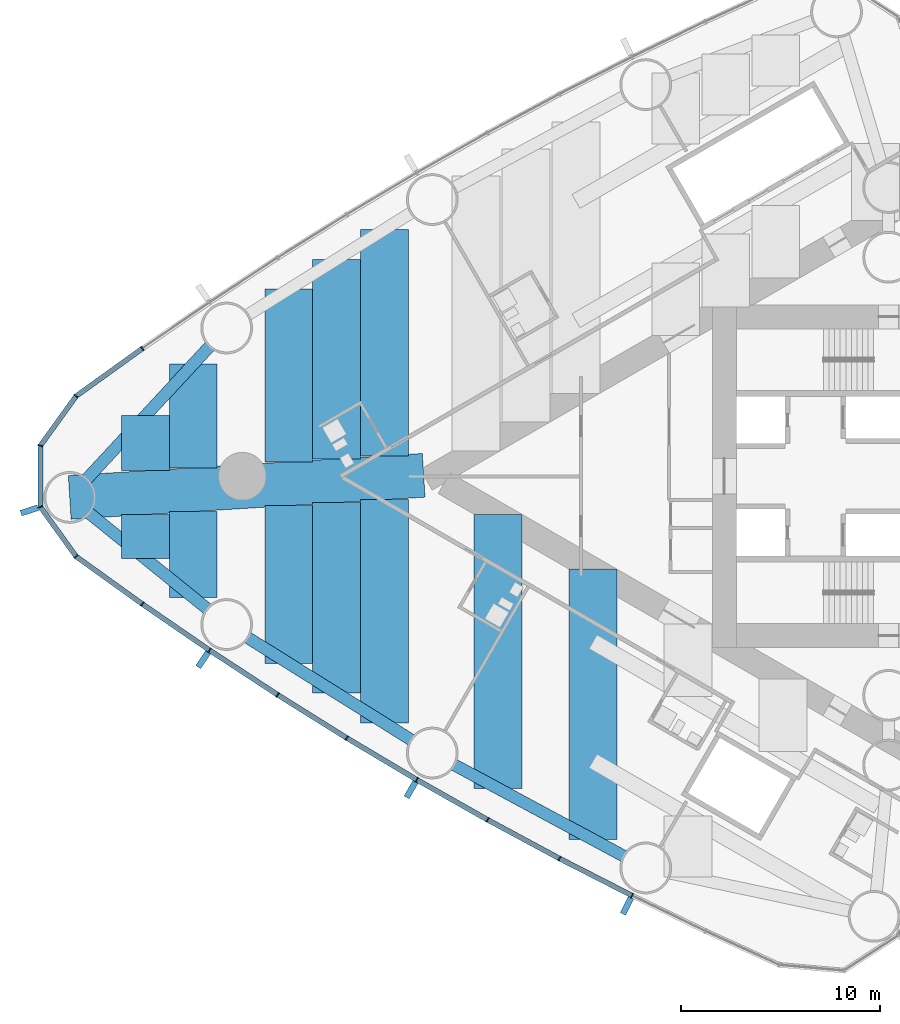
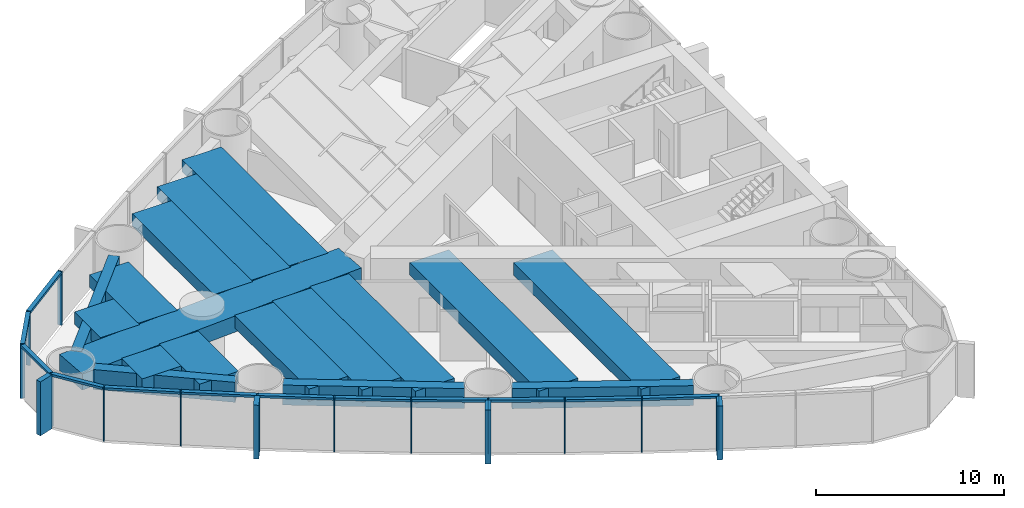
# One storey, part 2 of 19: 29 members, 17 beams, 1 element without a shape of its own.
"""IFC4 building model written with IfcOpenShell, lengths in metres."""

from ifc_helpers import new_model, si_unit, direction, frame, origin, origin_2d, place, context, subcontext, project, spatial, rectangle, hollow_rectangle, extrude, material, material_profile, profile_set, type_object, element, aggregate, save


model = new_model("IFC4")

# Units and contexts
model_context = context("Model", 3, precision=1e-05, world=origin(), true_north=direction((0.0, 1.0)))
body_context = subcontext(model_context, "Body", "Model", "MODEL_VIEW")
ifc_project = project(units=[si_unit("LENGTHUNIT", "METRE"), si_unit("AREAUNIT", "SQUARE_METRE"), si_unit("VOLUMEUNIT", "CUBIC_METRE"), si_unit("PLANEANGLEUNIT", "RADIAN"), si_unit("MASSUNIT", "GRAM", prefix="KILO")], contexts=[model_context])

# Site, building, storey
site_placement = place(None, origin())
site = spatial("IfcSite", under=ifc_project, at=site_placement, CompositionType="ELEMENT")
building_placement = place(site_placement, origin())
building = spatial("IfcBuilding", under=site, at=building_placement, Name="Lancet Gate Hotel", CompositionType="ELEMENT")
storey_placement = place(building_placement, frame((0.0, 0.0, 90.60009765625)))
storey = spatial("IfcBuildingStorey", under=building, at=storey_placement, Name="L23", CompositionType="ELEMENT", Elevation=90.60009765625)

# Curtain wall, members
ifc_material_1 = material(Name="Aluminium curtain wall", Category="aluminium")
curtain_wall_type = type_object("IfcCurtainWallType", Name="Tower unitised curtain wall", PredefinedType="USERDEFINED", material=ifc_material_1)
curtain_wall_placement = place(storey_placement, origin())
curtain_wall = element("IfcCurtainWall", 1, at=curtain_wall_placement, inside=storey, type_object=curtain_wall_type, Name="T1 L23 curtain wall 1", ObjectType="UNITISED CURTAIN WALL", PredefinedType="USERDEFINED")
ifc_material_2 = material(Name="Aluminium mullion", Category="aluminium")
ifc_material_profile_1 = material_profile(ifc_material_2, rectangle(XDim=0.06494140625, YDim=0.25, at=origin_2d()), Name="MULLION 65x250")
ifc_profile_set_1 = profile_set([ifc_material_profile_1], Name="Aluminium mullion")
member_type_1 = type_object("IfcMemberType", Name="Aluminium mullion 65x250", PredefinedType="MULLION", material=ifc_profile_set_1)
member_1_placement = place(storey_placement, frame((-66.5234375, 6.41650390625, 0.0), z_axis=(0.0, 0.0, 1.0), x_axis=(-0.818327221681, -0.574752606132, 0.0)))
member_1 = element("IfcMember", 2, at=member_1_placement, type_object=member_type_1, Name="T1 L23 curtain wall 1 mullion 16", PredefinedType="MULLION", context=body_context, shape_type="SweptSolid", body=[
    extrude(rectangle(XDim=0.06494140625, YDim=0.25, at=origin_2d()), origin(), (0.0, 0.0, 1.0), 3.5),
])
member_2_placement = place(storey_placement, frame((-69.84619140625, 4.02880859375, 0.0), z_axis=(0.0, 0.0, 1.0), x_axis=(-0.723846229576, -0.6899613293, 0.0)))
member_2 = element("IfcMember", 3, at=member_2_placement, type_object=member_type_1, Name="T1 L23 curtain wall 1 mullion 17", PredefinedType="MULLION", context=body_context, shape_type="SweptSolid", body=[
    extrude(rectangle(XDim=0.06494140625, YDim=0.25, at=origin_2d()), origin(), (0.0, 0.0, 1.0), 3.5),
])
member_3_placement = place(storey_placement, frame((-71.64306640625, 1.536376953125, 0.0), z_axis=(0.0, 0.0, 1.0), x_axis=(-0.307269196735, -0.95162263568, 0.0)))
member_3 = element("IfcMember", 4, at=member_3_placement, type_object=member_type_1, Name="T1 L23 curtain wall 1 mullion 18", PredefinedType="MULLION", context=body_context, shape_type="SweptSolid", body=[
    extrude(rectangle(XDim=0.06494140625, YDim=0.25, at=origin_2d()), origin(), (0.0, 0.0, 1.0), 3.5),
])
member_4_placement = place(storey_placement, frame((-71.64306640625, -1.536376953125, 0.0), z_axis=(0.0, 0.0, 1.0), x_axis=(0.307269196735, -0.95162263568, 0.0)))
member_4 = element("IfcMember", 5, at=member_4_placement, type_object=member_type_1, Name="T1 L23 curtain wall 1 mullion 19", PredefinedType="MULLION", context=body_context, shape_type="SweptSolid", body=[
    extrude(rectangle(XDim=0.06494140625, YDim=0.25, at=origin_2d()), origin(), (0.0, 0.0, 1.0), 3.5),
])
member_5_placement = place(storey_placement, frame((-69.84619140625, -4.02880859375, 0.0), z_axis=(0.0, 0.0, 1.0), x_axis=(0.723846229576, -0.6899613293, 0.0)))
member_5 = element("IfcMember", 6, at=member_5_placement, type_object=member_type_1, Name="T1 L23 curtain wall 1 mullion 20", PredefinedType="MULLION", context=body_context, shape_type="SweptSolid", body=[
    extrude(rectangle(XDim=0.06494140625, YDim=0.25, at=origin_2d()), origin(), (0.0, 0.0, 1.0), 3.5),
])
member_6_placement = place(storey_placement, frame((-66.5234375, -6.41650390625, 0.0), z_axis=(0.0, 0.0, 1.0), x_axis=(0.818327221681, -0.574752606132, 0.0)))
member_6 = element("IfcMember", 7, at=member_6_placement, type_object=member_type_1, Name="T1 L23 curtain wall 1 mullion 21", PredefinedType="MULLION", context=body_context, shape_type="SweptSolid", body=[
    extrude(rectangle(XDim=0.06494140625, YDim=0.25, at=origin_2d()), origin(), (0.0, 0.0, 1.0), 3.5),
])
member_7_placement = place(storey_placement, frame((-63.14990234375, -8.73193359375, 0.0), z_axis=(0.0, 0.0, 1.0), x_axis=(0.830510096234, -0.557003572747, 0.0)))
member_7 = element("IfcMember", 8, at=member_7_placement, type_object=member_type_1, Name="T1 L23 curtain wall 1 mullion 22", PredefinedType="MULLION", context=body_context, shape_type="SweptSolid", body=[
    extrude(rectangle(XDim=0.06494140625, YDim=0.25, at=origin_2d()), origin(), (0.0, 0.0, 1.0), 3.5),
])
member_8_placement = place(storey_placement, frame((-59.7275390625, -10.974365234375, 0.0), z_axis=(0.0, 0.0, 1.0), x_axis=(0.84230807036, -0.538996395727, 0.0)))
member_8 = element("IfcMember", 9, at=member_8_placement, type_object=member_type_1, Name="T1 L23 curtain wall 1 mullion 23", PredefinedType="MULLION", context=body_context, shape_type="SweptSolid", body=[
    extrude(rectangle(XDim=0.06494140625, YDim=0.25, at=origin_2d()), origin(), (0.0, 0.0, 1.0), 3.5),
])
member_9_placement = place(storey_placement, frame((-56.257568359375, -13.142333984375, 0.0), z_axis=(0.0, 0.0, 1.0), x_axis=(0.853715676299, -0.52073942048, 0.0)))
member_9 = element("IfcMember", 10, at=member_9_placement, type_object=member_type_1, Name="T1 L23 curtain wall 1 mullion 24", PredefinedType="MULLION", context=body_context, shape_type="SweptSolid", body=[
    extrude(rectangle(XDim=0.06494140625, YDim=0.25, at=origin_2d()), origin(), (0.0, 0.0, 1.0), 3.5),
])
member_10_placement = place(storey_placement, frame((-52.74169921875, -15.2353515625, 0.0), z_axis=(0.0, 0.0, 1.0), x_axis=(0.86472762718, -0.502241108226, 0.0)))
member_10 = element("IfcMember", 11, at=member_10_placement, type_object=member_type_1, Name="T1 L23 curtain wall 1 mullion 25", PredefinedType="MULLION", context=body_context, shape_type="SweptSolid", body=[
    extrude(rectangle(XDim=0.06494140625, YDim=0.25, at=origin_2d()), origin(), (0.0, 0.0, 1.0), 3.5),
])
member_11_placement = place(storey_placement, frame((-49.181640625, -17.252197265625, 0.0), z_axis=(0.0, 0.0, 1.0), x_axis=(0.875338819507, -0.48351003202, 0.0)))
member_11 = element("IfcMember", 12, at=member_11_placement, type_object=member_type_1, Name="T1 L23 curtain wall 1 mullion 26", PredefinedType="MULLION", context=body_context, shape_type="SweptSolid", body=[
    extrude(rectangle(XDim=0.06494140625, YDim=0.25, at=origin_2d()), origin(), (0.0, 0.0, 1.0), 3.5),
])
member_12_placement = place(storey_placement, frame((-45.578857421875, -19.19189453125, 0.0), z_axis=(0.0, 0.0, 1.0), x_axis=(0.885544335517, -0.46455487279, 0.0)))
member_12 = element("IfcMember", 13, at=member_12_placement, type_object=member_type_1, Name="T1 L23 curtain wall 1 mullion 27", PredefinedType="MULLION", context=body_context, shape_type="SweptSolid", body=[
    extrude(rectangle(XDim=0.06494140625, YDim=0.25, at=origin_2d()), origin(), (0.0, 0.0, 1.0), 3.5),
])
member_13_placement = place(storey_placement, frame((-41.935302734375, -21.053466796875, 0.0), z_axis=(0.0, 0.0, 1.0), x_axis=(0.895339445458, -0.445384415317, 0.0)))
member_13 = element("IfcMember", 14, at=member_13_placement, type_object=member_type_1, Name="T1 L23 curtain wall 1 mullion 28", PredefinedType="MULLION", context=body_context, shape_type="SweptSolid", body=[
    extrude(rectangle(XDim=0.06494140625, YDim=0.25, at=origin_2d()), origin(), (0.0, 0.0, 1.0), 3.5),
])
ifc_material_3 = material(Name="Aluminium transom", Category="aluminium")
ifc_material_profile_2 = material_profile(ifc_material_3, rectangle(XDim=0.25, YDim=0.14990234375, at=origin_2d()), Name="TRANSOM 250x150")
ifc_profile_set_2 = profile_set([ifc_material_profile_2], Name="Aluminium transom")
member_type_2 = type_object("IfcMemberType", Name="Aluminium transom 250x150", PredefinedType="USERDEFINED", material=ifc_profile_set_2)
member_14_placement = place(storey_placement, frame((-66.5498046875, 6.3974609375, 3.4248046875), z_axis=(-0.812099770796, -0.583518604908, 0.0), x_axis=(0.583518604908, -0.812099770796, 0.0)))
member_14 = element("IfcMember", 15, at=member_14_placement, type_object=member_type_2, Name="T1 L23 curtain wall 1 transom 16", ObjectType="TRANSOM", PredefinedType="USERDEFINED", context=body_context, shape_type="SweptSolid", body=[
    extrude(rectangle(XDim=0.25, YDim=0.14990234375, at=origin_2d()), origin(), (0.0, 0.0, 1.0), 4.026611328125),
])
member_15_placement = place(storey_placement, frame((-69.865234375, 4.00244140625, 3.4248046875), z_axis=(-0.584787911241, -0.81118622946, 0.0), x_axis=(0.81118622946, -0.584787911241, 0.0)))
member_15 = element("IfcMember", 16, at=member_15_placement, type_object=member_type_2, Name="T1 L23 curtain wall 1 transom 17", ObjectType="TRANSOM", PredefinedType="USERDEFINED", context=body_context, shape_type="SweptSolid", body=[
    extrude(rectangle(XDim=0.25, YDim=0.14990234375, at=origin_2d()), origin(), (0.0, 0.0, 1.0), 3.007568359375),
])
member_16_placement = place(storey_placement, frame((-71.64306640625, 1.50390625, 3.4248046875), z_axis=(0.0, -1.0, 0.0), x_axis=(1.0, 0.0, 0.0)))
member_16 = element("IfcMember", 17, at=member_16_placement, type_object=member_type_2, Name="T1 L23 curtain wall 1 transom 18", ObjectType="TRANSOM", PredefinedType="USERDEFINED", context=body_context, shape_type="SweptSolid", body=[
    extrude(rectangle(XDim=0.25, YDim=0.14990234375, at=origin_2d()), origin(), (0.0, 0.0, 1.0), 3.0078125),
])
member_17_placement = place(storey_placement, frame((-71.6240234375, -1.562744140625, 3.4248046875), z_axis=(0.584787911241, -0.81118622946, 0.0), x_axis=(0.81118622946, 0.584787911241, 0.0)))
member_17 = element("IfcMember", 18, at=member_17_placement, type_object=member_type_2, Name="T1 L23 curtain wall 1 transom 19", ObjectType="TRANSOM", PredefinedType="USERDEFINED", context=body_context, shape_type="SweptSolid", body=[
    extrude(rectangle(XDim=0.25, YDim=0.14990234375, at=origin_2d()), origin(), (0.0, 0.0, 1.0), 3.007568359375),
])
member_18_placement = place(storey_placement, frame((-69.81982421875, -4.0478515625, 3.4248046875), z_axis=(0.812099770796, -0.583518604908, 0.0), x_axis=(0.583518604908, 0.812099770796, 0.0)))
member_18 = element("IfcMember", 19, at=member_18_placement, type_object=member_type_2, Name="T1 L23 curtain wall 1 transom 20", ObjectType="TRANSOM", PredefinedType="USERDEFINED", context=body_context, shape_type="SweptSolid", body=[
    extrude(rectangle(XDim=0.25, YDim=0.14990234375, at=origin_2d()), origin(), (0.0, 0.0, 1.0), 4.026611328125),
])
member_19_placement = place(storey_placement, frame((-66.49658203125, -6.434814453125, 3.4248046875), z_axis=(0.824455665247, -0.565926546508, 0.0), x_axis=(0.565926546508, 0.824455665247, 0.0)))
member_19 = element("IfcMember", 20, at=member_19_placement, type_object=member_type_2, Name="T1 L23 curtain wall 1 transom 21", ObjectType="TRANSOM", PredefinedType="USERDEFINED", context=body_context, shape_type="SweptSolid", body=[
    extrude(rectangle(XDim=0.25, YDim=0.14990234375, at=origin_2d()), origin(), (0.0, 0.0, 1.0), 4.026611328125),
])
member_20_placement = place(storey_placement, frame((-63.122802734375, -8.749755859375, 3.4248046875), z_axis=(0.83645442085, -0.548036496815, 0.0), x_axis=(0.548036496815, 0.83645442085, 0.0)))
member_20 = element("IfcMember", 21, at=member_20_placement, type_object=member_type_2, Name="T1 L23 curtain wall 1 transom 22", ObjectType="TRANSOM", PredefinedType="USERDEFINED", context=body_context, shape_type="SweptSolid", body=[
    extrude(rectangle(XDim=0.25, YDim=0.14990234375, at=origin_2d()), origin(), (0.0, 0.0, 1.0), 4.026611328125),
])
member_21_placement = place(storey_placement, frame((-59.699951171875, -10.991455078125, 3.4248046875), z_axis=(0.848049393821, -0.529917187531, 0.0), x_axis=(0.529917187531, 0.848049393821, 0.0)))
member_21 = element("IfcMember", 22, at=member_21_placement, type_object=member_type_2, Name="T1 L23 curtain wall 1 transom 23", ObjectType="TRANSOM", PredefinedType="USERDEFINED", context=body_context, shape_type="SweptSolid", body=[
    extrude(rectangle(XDim=0.25, YDim=0.14990234375, at=origin_2d()), origin(), (0.0, 0.0, 1.0), 4.026611328125),
])
member_22_placement = place(storey_placement, frame((-56.2294921875, -13.1591796875, 3.4248046875), z_axis=(0.859285270342, -0.511496651186, 0.0), x_axis=(0.511496651186, 0.859285270342, 0.0)))
member_22 = element("IfcMember", 23, at=member_22_placement, type_object=member_type_2, Name="T1 L23 curtain wall 1 transom 24", ObjectType="TRANSOM", PredefinedType="USERDEFINED", context=body_context, shape_type="SweptSolid", body=[
    extrude(rectangle(XDim=0.25, YDim=0.14990234375, at=origin_2d()), origin(), (0.0, 0.0, 1.0), 4.026611328125),
])
member_23_placement = place(storey_placement, frame((-52.71337890625, -15.25146484375, 3.4248046875), z_axis=(0.870091531013, -0.492890178091, 0.0), x_axis=(0.492890178091, 0.870091531013, 0.0)))
member_23 = element("IfcMember", 24, at=member_23_placement, type_object=member_type_2, Name="T1 L23 curtain wall 1 transom 25", ObjectType="TRANSOM", PredefinedType="USERDEFINED", context=body_context, shape_type="SweptSolid", body=[
    extrude(rectangle(XDim=0.25, YDim=0.14990234375, at=origin_2d()), origin(), (0.0, 0.0, 1.0), 4.026611328125),
])
member_24_placement = place(storey_placement, frame((-49.153076171875, -17.267578125, 3.4248046875), z_axis=(0.880498353192, -0.474049206335, 0.0), x_axis=(0.474049206335, 0.880498353192, 0.0)))
member_24 = element("IfcMember", 25, at=member_24_placement, type_object=member_type_2, Name="T1 L23 curtain wall 1 transom 26", ObjectType="TRANSOM", PredefinedType="USERDEFINED", context=body_context, shape_type="SweptSolid", body=[
    extrude(rectangle(XDim=0.25, YDim=0.14990234375, at=origin_2d()), origin(), (0.0, 0.0, 1.0), 4.02685546875),
])
member_25_placement = place(storey_placement, frame((-45.550048828125, -19.20654296875, 3.4248046875), z_axis=(0.89047617483, -0.455029869415, 0.0), x_axis=(0.455029869415, 0.89047617483, 0.0)))
member_25 = element("IfcMember", 26, at=member_25_placement, type_object=member_type_2, Name="T1 L23 curtain wall 1 transom 27", ObjectType="TRANSOM", PredefinedType="USERDEFINED", context=body_context, shape_type="SweptSolid", body=[
    extrude(rectangle(XDim=0.25, YDim=0.14990234375, at=origin_2d()), origin(), (0.0, 0.0, 1.0), 4.026611328125),
])

# Beams
ifc_material_4 = material(Name="Steel S460QL", Category="steel")
ifc_material_profile_3 = material_profile(ifc_material_4, hollow_rectangle(XDim=0.60009765625, YDim=1.300048828125, WallThickness=0.050048828125, at=origin_2d()), Name="BOX 1300x600x50")
ifc_profile_set_3 = profile_set([ifc_material_profile_3], Name="Steel S460QL")
beam_type_1 = type_object("IfcBeamType", Name="Edge beam BOX 1300x600x50", PredefinedType="SPANDREL", material=ifc_profile_set_3)
beam_1_placement = place(storey_placement, frame((-63.13623046875, 6.52783203125, 2.599853515625), z_axis=(-0.679712541232, -0.733478603158, 0.0), x_axis=(0.733478603158, -0.679712541232, 0.0)))
element("IfcBeam", 27, at=beam_1_placement, inside=storey, type_object=beam_type_1, Name="T1 edge beam EB2 L23", PredefinedType="SPANDREL", context=body_context, shape_type="SweptSolid", body=[
    extrude(hollow_rectangle(XDim=0.60009765625, YDim=1.300048828125, WallThickness=0.050048828125, at=origin_2d()), origin(), (0.0, 0.0, 1.0), 9.09521484375),
])
beam_2_placement = place(storey_placement, frame((-69.19677734375, -1.846923828125, 2.599853515625), z_axis=(0.777049192249, -0.629439872287, 0.0), x_axis=(0.629439872287, 0.777049192249, 0.0)))
element("IfcBeam", 28, at=beam_2_placement, inside=storey, type_object=beam_type_1, Name="T1 edge beam EB2 L23", PredefinedType="SPANDREL", context=body_context, shape_type="SweptSolid", body=[
    extrude(hollow_rectangle(XDim=0.60009765625, YDim=1.300048828125, WallThickness=0.050048828125, at=origin_2d()), origin(), (0.0, 0.0, 1.0), 7.64306640625),
])
beam_3_placement = place(storey_placement, frame((-61.2265625, -8.10693359375, 2.599853515625), z_axis=(0.848062104807, -0.529896845047, 0.0), x_axis=(0.529896845047, 0.848062104807, 0.0)))
element("IfcBeam", 29, at=beam_3_placement, inside=storey, type_object=beam_type_1, Name="T1 edge beam EB2 L23", PredefinedType="SPANDREL", context=body_context, shape_type="SweptSolid", body=[
    extrude(hollow_rectangle(XDim=0.60009765625, YDim=1.300048828125, WallThickness=0.050048828125, at=origin_2d()), origin(), (0.0, 0.0, 1.0), 9.673095703125),
])
beam_4_placement = place(storey_placement, frame((-50.862548828125, -14.487548828125, 2.599853515625), z_axis=(0.880484066736, -0.474075741021, 0.0), x_axis=(0.474075741021, 0.880484066736, 0.0)))
element("IfcBeam", 30, at=beam_4_placement, inside=storey, type_object=beam_type_1, Name="T1 edge beam EB2 L23", PredefinedType="SPANDREL", context=body_context, shape_type="SweptSolid", body=[
    extrude(hollow_rectangle(XDim=0.60009765625, YDim=1.300048828125, WallThickness=0.050048828125, at=origin_2d()), origin(), (0.0, 0.0, 1.0), 9.6728515625),
])

# Member
ifc_material_5 = material(Name="Precast concrete C50/60", Category="concrete")
ifc_material_profile_4 = material_profile(ifc_material_5, rectangle(XDim=0.300048828125, YDim=0.89990234375, at=origin_2d()), Name="FIN 300x900")
ifc_profile_set_4 = profile_set([ifc_material_profile_4], Name="Precast concrete C50/60")
member_type_3 = type_object("IfcMemberType", Name="Exposed concrete fin 300x900", PredefinedType="USERDEFINED", material=ifc_profile_set_4)
member_26_placement = place(storey_placement, frame((-72.190185546875, -1.713134765625, 0.0), z_axis=(0.0, 0.0, 1.0), x_axis=(0.307269196735, -0.95162263568, 0.0)))
member_26 = element("IfcMember", 31, at=member_26_placement, type_object=member_type_3, Name="T1 L23 curtain wall 1 fin 19", ObjectType="FIN", PredefinedType="USERDEFINED", context=body_context, shape_type="SweptSolid", body=[
    extrude(rectangle(XDim=0.300048828125, YDim=0.89990234375, at=origin_2d()), origin(), (0.0, 0.0, 1.0), 3.5),
])

member_27_placement = place(storey_placement, frame((-63.47021484375, -9.20947265625, 0.0), z_axis=(0.0, 0.0, 1.0), x_axis=(0.830510096234, -0.557003572747, 0.0)))
member_27 = element("IfcMember", 32, at=member_27_placement, type_object=member_type_3, Name="T1 L23 curtain wall 1 fin 22", ObjectType="FIN", PredefinedType="USERDEFINED", context=body_context, shape_type="SweptSolid", body=[
    extrude(rectangle(XDim=0.300048828125, YDim=0.89990234375, at=origin_2d()), origin(), (0.0, 0.0, 1.0), 3.5),
])

member_28_placement = place(storey_placement, frame((-53.030517578125, -15.732666015625, 0.0), z_axis=(0.0, 0.0, 1.0), x_axis=(0.86472762718, -0.502241108226, 0.0)))
member_28 = element("IfcMember", 33, at=member_28_placement, type_object=member_type_3, Name="T1 L23 curtain wall 1 fin 25", ObjectType="FIN", PredefinedType="USERDEFINED", context=body_context, shape_type="SweptSolid", body=[
    extrude(rectangle(XDim=0.300048828125, YDim=0.89990234375, at=origin_2d()), origin(), (0.0, 0.0, 1.0), 3.5),
])

member_29_placement = place(storey_placement, frame((-42.19140625, -21.568359375, 0.0), z_axis=(0.0, 0.0, 1.0), x_axis=(0.895339445458, -0.445384415317, 0.0)))
member_29 = element("IfcMember", 34, at=member_29_placement, type_object=member_type_3, Name="T1 L23 curtain wall 1 fin 28", ObjectType="FIN", PredefinedType="USERDEFINED", context=body_context, shape_type="SweptSolid", body=[
    extrude(rectangle(XDim=0.300048828125, YDim=0.89990234375, at=origin_2d()), origin(), (0.0, 0.0, 1.0), 3.5),
])

aggregate(curtain_wall, [member_1, member_2, member_3, member_4, member_26, member_5, member_6, member_7, member_27, member_8, member_9, member_10, member_28, member_11, member_12, member_13, member_29, member_14, member_15, member_16, member_17, member_18, member_19, member_20, member_21, member_22, member_23, member_24, member_25])

# Beams
ifc_material_6 = material(Name="Concrete C50/60", Category="concrete")
ifc_material_profile_5 = material_profile(ifc_material_6, rectangle(XDim=2.39990234375, YDim=0.800048828125, at=origin_2d()), Name="RC 2400x800")
ifc_profile_set_5 = profile_set([ifc_material_profile_5], Name="Concrete C50/60")
beam_type_2 = type_object("IfcBeamType", Name="Floor beam RC 2400x800", PredefinedType="BEAM", material=ifc_profile_set_5)
beam_5_placement = place(storey_placement, frame((-43.891357421875, -4.663330078125, 2.849853515625), z_axis=(0.0, -1.0, 0.0), x_axis=(1.0, 0.0, 0.0)))
element("IfcBeam", 35, at=beam_5_placement, inside=storey, type_object=beam_type_2, Name="T1 floor beam F08N L23", PredefinedType="BEAM", context=body_context, shape_type="SweptSolid", body=[
    extrude(rectangle(XDim=2.39990234375, YDim=0.800048828125, at=origin_2d()), origin(), (0.0, 0.0, 1.0), 13.57763671875),
])
beam_6_placement = place(storey_placement, frame((-48.66015625, -1.909912109375, 2.849853515625), z_axis=(0.0, -1.0, 0.0), x_axis=(1.0, 0.0, 0.0)))
element("IfcBeam", 36, at=beam_6_placement, inside=storey, type_object=beam_type_2, Name="T1 floor beam F11N L23", PredefinedType="BEAM", context=body_context, shape_type="SweptSolid", body=[
    extrude(rectangle(XDim=2.39990234375, YDim=0.800048828125, at=origin_2d()), origin(), (0.0, 0.0, 1.0), 13.763427734375),
])
beam_7_placement = place(storey_placement, frame((-54.3681640625, 12.392333984375, 2.849853515625), z_axis=(0.0, -1.0, 0.0), x_axis=(1.0, 0.0, 0.0)))
element("IfcBeam", 37, at=beam_7_placement, inside=storey, type_object=beam_type_2, Name="T1 floor beam F13S L23", PredefinedType="BEAM", context=body_context, shape_type="SweptSolid", body=[
    extrude(rectangle(XDim=2.39990234375, YDim=0.800048828125, at=origin_2d()), origin(), (0.0, 0.0, 1.0), 11.364990234375),
])
beam_8_placement = place(storey_placement, frame((-54.3681640625, -1.177001953125, 2.849853515625), z_axis=(0.0, -1.0, 0.0), x_axis=(1.0, 0.0, 0.0)))
element("IfcBeam", 38, at=beam_8_placement, inside=storey, type_object=beam_type_2, Name="T1 floor beam F14N L23", PredefinedType="BEAM", context=body_context, shape_type="SweptSolid", body=[
    extrude(rectangle(XDim=2.39990234375, YDim=0.800048828125, at=origin_2d()), origin(), (0.0, 0.0, 1.0), 11.21533203125),
])
beam_9_placement = place(storey_placement, frame((-56.768310546875, 10.892578125, 2.849853515625), z_axis=(0.0, -1.0, 0.0), x_axis=(1.0, 0.0, 0.0)))
element("IfcBeam", 39, at=beam_9_placement, inside=storey, type_object=beam_type_2, Name="T1 floor beam F15S L23", PredefinedType="BEAM", context=body_context, shape_type="SweptSolid", body=[
    extrude(rectangle(XDim=2.39990234375, YDim=0.800048828125, at=origin_2d()), origin(), (0.0, 0.0, 1.0), 10.014892578125),
])
beam_10_placement = place(storey_placement, frame((-56.768310546875, -1.32666015625, 2.849853515625), z_axis=(0.0, -1.0, 0.0), x_axis=(1.0, 0.0, 0.0)))
element("IfcBeam", 40, at=beam_10_placement, inside=storey, type_object=beam_type_2, Name="T1 floor beam F16N L23", PredefinedType="BEAM", context=body_context, shape_type="SweptSolid", body=[
    extrude(rectangle(XDim=2.39990234375, YDim=0.800048828125, at=origin_2d()), origin(), (0.0, 0.0, 1.0), 9.56591796875),
])
beam_11_placement = place(storey_placement, frame((-59.168212890625, 9.39306640625, 2.849853515625), z_axis=(0.0, -1.0, 0.0), x_axis=(1.0, 0.0, 0.0)))
element("IfcBeam", 41, at=beam_11_placement, inside=storey, type_object=beam_type_2, Name="T1 floor beam F17S L23", PredefinedType="BEAM", context=body_context, shape_type="SweptSolid", body=[
    extrude(rectangle(XDim=2.39990234375, YDim=0.800048828125, at=origin_2d()), origin(), (0.0, 0.0, 1.0), 8.6650390625),
])
beam_12_placement = place(storey_placement, frame((-59.168212890625, -1.476318359375, 2.849853515625), z_axis=(0.0, -1.0, 0.0), x_axis=(1.0, 0.0, 0.0)))
element("IfcBeam", 42, at=beam_12_placement, inside=storey, type_object=beam_type_2, Name="T1 floor beam F18N L23", PredefinedType="BEAM", context=body_context, shape_type="SweptSolid", body=[
    extrude(rectangle(XDim=2.39990234375, YDim=0.800048828125, at=origin_2d()), origin(), (0.0, 0.0, 1.0), 7.916748046875),
])
beam_13_placement = place(storey_placement, frame((-63.96826171875, 5.6298828125, 2.849853515625), z_axis=(0.0, -1.0, 0.0), x_axis=(1.0, 0.0, 0.0)))
element("IfcBeam", 43, at=beam_13_placement, inside=storey, type_object=beam_type_2, Name="T1 floor beam F19S L23", PredefinedType="BEAM", context=body_context, shape_type="SweptSolid", body=[
    extrude(rectangle(XDim=2.39990234375, YDim=0.800048828125, at=origin_2d()), origin(), (0.0, 0.0, 1.0), 5.201171875),
])
beam_14_placement = place(storey_placement, frame((-63.96826171875, -1.775634765625, 2.849853515625), z_axis=(0.0, -1.0, 0.0), x_axis=(1.0, 0.0, 0.0)))
element("IfcBeam", 44, at=beam_14_placement, inside=storey, type_object=beam_type_2, Name="T1 floor beam F20N L23", PredefinedType="BEAM", context=body_context, shape_type="SweptSolid", body=[
    extrude(rectangle(XDim=2.39990234375, YDim=0.800048828125, at=origin_2d()), origin(), (0.0, 0.0, 1.0), 4.306640625),
])
beam_15_placement = place(storey_placement, frame((-66.3681640625, 3.040283203125, 2.849853515625), z_axis=(0.0, -1.0, 0.0), x_axis=(1.0, 0.0, 0.0)))
element("IfcBeam", 45, at=beam_15_placement, inside=storey, type_object=beam_type_2, Name="T1 floor beam F21S L23", PredefinedType="BEAM", context=body_context, shape_type="SweptSolid", body=[
    extrude(rectangle(XDim=2.39990234375, YDim=0.800048828125, at=origin_2d()), origin(), (0.0, 0.0, 1.0), 2.76123046875),
])
beam_16_placement = place(storey_placement, frame((-66.3681640625, -1.92529296875, 2.849853515625), z_axis=(0.0, -1.0, 0.0), x_axis=(1.0, 0.0, 0.0)))
element("IfcBeam", 46, at=beam_16_placement, inside=storey, type_object=beam_type_2, Name="T1 floor beam F22N L23", PredefinedType="BEAM", context=body_context, shape_type="SweptSolid", body=[
    extrude(rectangle(XDim=2.39990234375, YDim=0.800048828125, at=origin_2d()), origin(), (0.0, 0.0, 1.0), 2.212890625),
])
ifc_material_7 = material(Name="Concrete C50/60", Category="concrete")
ifc_material_profile_6 = material_profile(ifc_material_7, rectangle(XDim=2.199951171875, YDim=1.050048828125, at=origin_2d()), Name="RC 2200x1050")
ifc_profile_set_6 = profile_set([ifc_material_profile_6], Name="Concrete C50/60")
beam_type_3 = type_object("IfcBeamType", Name="Radial floor beam RC 2200x1050", PredefinedType="BEAM", material=ifc_profile_set_6)
beam_17_placement = place(storey_placement, frame((-70.16796875, -1.06005859375, 2.724853515625), z_axis=(0.998061637313, 0.062233175423, 0.0), x_axis=(-0.062233175423, 0.998061637313, 0.0)))
element("IfcBeam", 47, at=beam_17_placement, inside=storey, type_object=beam_type_3, Name="T1 radial beam CA L23", PredefinedType="BEAM", context=body_context, shape_type="SweptSolid", body=[
    extrude(rectangle(XDim=2.199951171875, YDim=1.050048828125, at=origin_2d()), origin(), (0.0, 0.0, 1.0), 17.806396484375),
])

save(model, "model.ifc")
